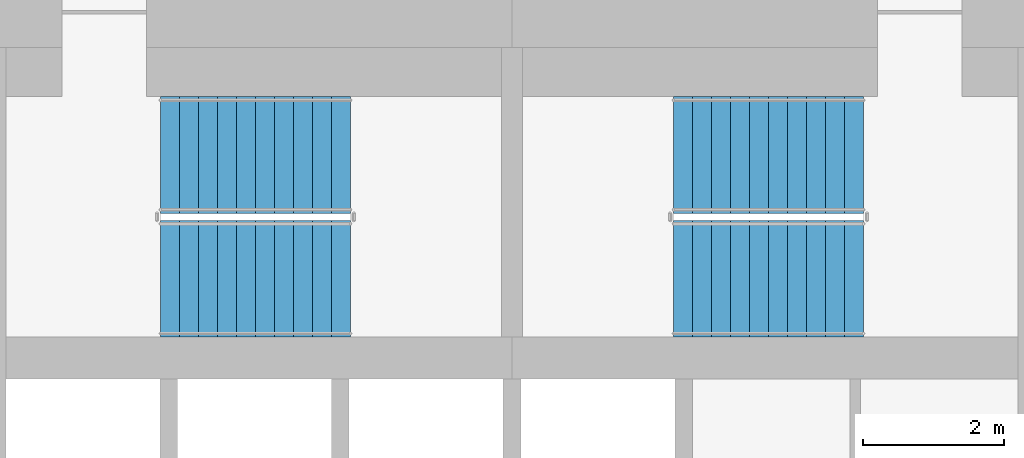
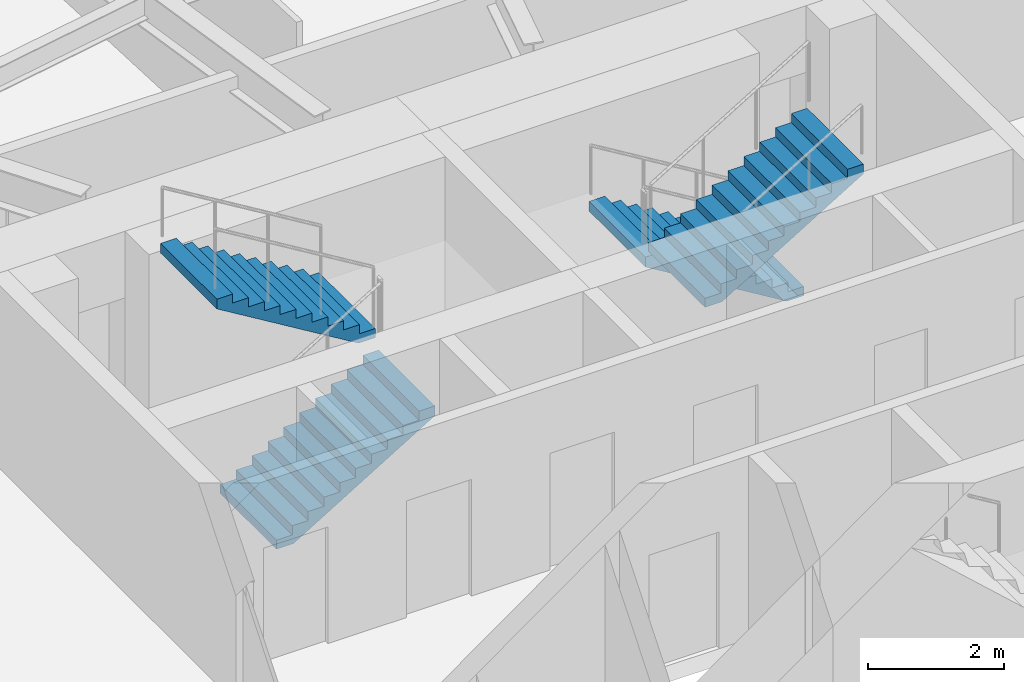
# One storey, part 11 of 16: 4 stair flights, 2 elements without a shape of their own.
"""IFC4 building model written with IfcOpenShell, lengths in metres."""

from ifc_helpers import new_model, si_unit, direction, frame, origin, place, context, subcontext, project, spatial, polyline, outline, extrude, material, type_object, element, aggregate, save


model = new_model("IFC4")

# Units and contexts
model_context = context("Model", 3, precision=1e-05, world=origin(), true_north=direction((0.0, 1.0)))
body_context = subcontext(model_context, "Body", "Model", "MODEL_VIEW")
ifc_project = project(units=[si_unit("LENGTHUNIT", "METRE"), si_unit("AREAUNIT", "SQUARE_METRE"), si_unit("VOLUMEUNIT", "CUBIC_METRE"), si_unit("PLANEANGLEUNIT", "RADIAN"), si_unit("MASSUNIT", "GRAM", prefix="KILO")], contexts=[model_context])

# Site, building, storey
site_placement = place(None, origin())
site = spatial("IfcSite", under=ifc_project, at=site_placement, CompositionType="ELEMENT")
building_placement = place(site_placement, origin())
building = spatial("IfcBuilding", under=site, at=building_placement, Name="Vermilion Reach Broadcast Tower", CompositionType="ELEMENT")
storey_placement = place(building_placement, frame((0.0, 0.0, 113.800048828125)))
storey = spatial("IfcBuildingStorey", under=building, at=storey_placement, Name="L26", CompositionType="ELEMENT", Elevation=113.800048828125)

# Stair, stair flights
ifc_material_1 = material(Name="Concrete C40", Category="concrete")
stair_type = type_object("IfcStairType", Name="Exit stair RC 22 risers 164 mm", PredefinedType="HALF_TURN_STAIR", material=ifc_material_1)
placement = place(storey_placement, origin())
stair_1 = element("IfcStair", 1, at=placement, inside=storey, type_object=stair_type, Name="L26 Exit stair ST1", PredefinedType="HALF_TURN_STAIR")
ifc_material_2 = material(Name="Concrete C40", Category="concrete")
stair_flight_type = type_object("IfcStairFlightType", Name="Exit stair flight RC 11 risers", PredefinedType="STRAIGHT", material=ifc_material_2)
stair_flight_1_placement = place(storey_placement, frame((-11.0, 4.7099609375, 0.0), z_axis=(0.0, 0.0, 1.0), x_axis=(1.0, 0.0, 0.0)))
stair_flight_1 = element("IfcStairFlight", 2, at=stair_flight_1_placement, type_object=stair_flight_type, Name="ST1 flight 1", NumberOfRisers=11, NumberOfTreads=10, PredefinedType="STRAIGHT", RiserHeight=0.163636364, TreadLength=0.27, context=body_context, shape_type="SweptSolid", body=[
    extrude(outline(polyline([(0.0, 0.0), (0.0, 0.16357421875), (0.27001953125, 0.16357421875), (0.27001953125, 0.327392578125), (0.5400390625, 0.327392578125), (0.5400390625, 0.490966796875), (0.81005859375, 0.490966796875), (0.81005859375, 0.654541015625), (1.080078125, 0.654541015625), (1.080078125, 0.818115234375), (1.35009765625, 0.818115234375), (1.35009765625, 0.98193359375), (1.6201171875, 0.98193359375), (1.6201171875, 1.1455078125), (1.889892578125, 1.1455078125), (1.889892578125, 1.30908203125), (2.159912109375, 1.30908203125), (2.159912109375, 1.47265625), (2.429931640625, 1.47265625), (2.429931640625, 1.636474609375), (2.699951171875, 1.636474609375), (2.699951171875, 1.800048828125), (2.699951171875, 1.461181640625), (0.289306640625, 0.0), (0.0, 0.0)])), frame((0.0, 0.830078125, 0.0), z_axis=(0.0, -1.0, 0.0), x_axis=(1.0, 0.0, 0.0)), (0.0, 0.0, 1.0), 1.659912109375),
])
stair_flight_2_placement = place(storey_placement, frame((-8.300048828125, 6.469970703125, 1.800048828125), z_axis=(0.0, 0.0, 1.0), x_axis=(-1.0, 0.0, 0.0)))
stair_flight_2 = element("IfcStairFlight", 3, at=stair_flight_2_placement, type_object=stair_flight_type, Name="ST1 flight 2", NumberOfRisers=11, NumberOfTreads=10, PredefinedType="STRAIGHT", RiserHeight=0.163636364, TreadLength=0.27, context=body_context, shape_type="SweptSolid", body=[
    extrude(outline(polyline([(0.0, 0.0), (0.0, 0.16357421875), (0.27001953125, 0.16357421875), (0.27001953125, 0.327392578125), (0.5400390625, 0.327392578125), (0.5400390625, 0.490966796875), (0.81005859375, 0.490966796875), (0.81005859375, 0.654541015625), (1.080078125, 0.654541015625), (1.080078125, 0.818115234375), (1.35009765625, 0.818115234375), (1.35009765625, 0.98193359375), (1.6201171875, 0.98193359375), (1.6201171875, 1.1455078125), (1.889892578125, 1.1455078125), (1.889892578125, 1.30908203125), (2.159912109375, 1.30908203125), (2.159912109375, 1.47265625), (2.429931640625, 1.47265625), (2.429931640625, 1.636474609375), (2.699951171875, 1.636474609375), (2.699951171875, 1.800048828125), (2.699951171875, 1.461181640625), (0.289306640625, 0.0), (0.0, 0.0)])), frame((0.0, 0.830078125, 0.0), z_axis=(0.0, -1.0, 0.0), x_axis=(1.0, 0.0, 0.0)), (0.0, 0.0, 1.0), 1.659912109375),
])
aggregate(stair_1, [stair_flight_1, stair_flight_2])

stair_2 = element("IfcStair", 4, at=placement, inside=storey, type_object=stair_type, Name="L26 Exit stair ST2", PredefinedType="HALF_TURN_STAIR")
stair_flight_3_placement = place(storey_placement, frame((-1.0, 6.469970703125, 0.0), z_axis=(0.0, 0.0, 1.0), x_axis=(-1.0, 0.0, 0.0)))
stair_flight_3 = element("IfcStairFlight", 5, at=stair_flight_3_placement, type_object=stair_flight_type, Name="ST2 flight 1", NumberOfRisers=11, NumberOfTreads=10, PredefinedType="STRAIGHT", RiserHeight=0.163636364, TreadLength=0.27, context=body_context, shape_type="SweptSolid", body=[
    extrude(outline(polyline([(0.0, 0.0), (0.0, 0.16357421875), (0.27001953125, 0.16357421875), (0.27001953125, 0.327392578125), (0.5400390625, 0.327392578125), (0.5400390625, 0.490966796875), (0.81005859375, 0.490966796875), (0.81005859375, 0.654541015625), (1.080078125, 0.654541015625), (1.080078125, 0.818115234375), (1.35009765625, 0.818115234375), (1.35009765625, 0.98193359375), (1.6201171875, 0.98193359375), (1.6201171875, 1.1455078125), (1.889892578125, 1.1455078125), (1.889892578125, 1.30908203125), (2.159912109375, 1.30908203125), (2.159912109375, 1.47265625), (2.429931640625, 1.47265625), (2.429931640625, 1.636474609375), (2.699951171875, 1.636474609375), (2.699951171875, 1.800048828125), (2.699951171875, 1.461181640625), (0.289306640625, 0.0), (0.0, 0.0)])), frame((0.0, 0.830078125, 0.0), z_axis=(0.0, -1.0, 0.0), x_axis=(1.0, 0.0, 0.0)), (0.0, 0.0, 1.0), 1.659912109375),
])
stair_flight_4_placement = place(storey_placement, frame((-3.699951171875, 4.7099609375, 1.800048828125), z_axis=(0.0, 0.0, 1.0), x_axis=(1.0, 0.0, 0.0)))
stair_flight_4 = element("IfcStairFlight", 6, at=stair_flight_4_placement, type_object=stair_flight_type, Name="ST2 flight 2", NumberOfRisers=11, NumberOfTreads=10, PredefinedType="STRAIGHT", RiserHeight=0.163636364, TreadLength=0.27, context=body_context, shape_type="SweptSolid", body=[
    extrude(outline(polyline([(0.0, 0.0), (0.0, 0.16357421875), (0.27001953125, 0.16357421875), (0.27001953125, 0.327392578125), (0.5400390625, 0.327392578125), (0.5400390625, 0.490966796875), (0.81005859375, 0.490966796875), (0.81005859375, 0.654541015625), (1.080078125, 0.654541015625), (1.080078125, 0.818115234375), (1.35009765625, 0.818115234375), (1.35009765625, 0.98193359375), (1.6201171875, 0.98193359375), (1.6201171875, 1.1455078125), (1.889892578125, 1.1455078125), (1.889892578125, 1.30908203125), (2.159912109375, 1.30908203125), (2.159912109375, 1.47265625), (2.429931640625, 1.47265625), (2.429931640625, 1.636474609375), (2.699951171875, 1.636474609375), (2.699951171875, 1.800048828125), (2.699951171875, 1.461181640625), (0.289306640625, 0.0), (0.0, 0.0)])), frame((0.0, 0.830078125, 0.0), z_axis=(0.0, -1.0, 0.0), x_axis=(1.0, 0.0, 0.0)), (0.0, 0.0, 1.0), 1.659912109375),
])
aggregate(stair_2, [stair_flight_3, stair_flight_4])

save(model, "model.ifc")
